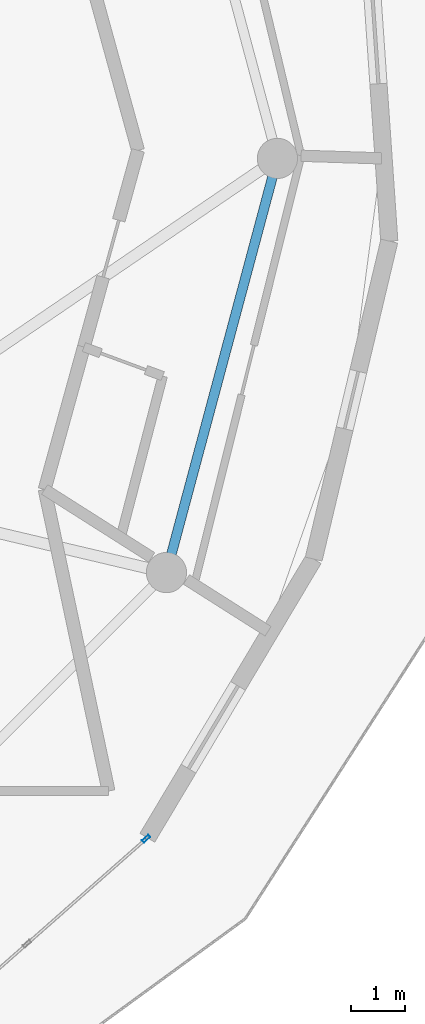
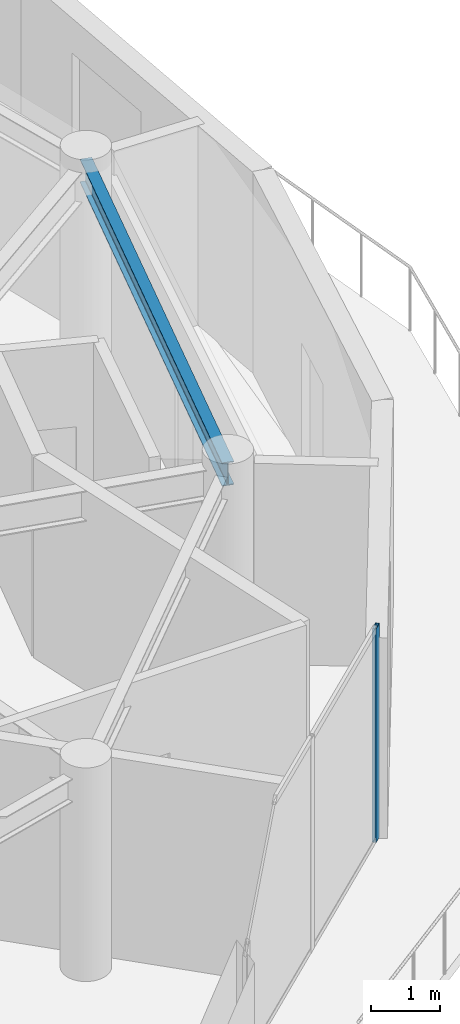
# One storey, part 11 of 22: 1 beam, 1 member, 1 element without a shape of its own.
"""IFC4 building model written with IfcOpenShell, lengths in metres."""

from ifc_helpers import new_model, si_unit, direction, frame, origin, origin_2d, place, context, subcontext, project, spatial, hollow_rectangle, i_section, extrude, source, transform, mapped, material, layer, layer_set, material_profile, profile_set, type_object, element, aggregate, save


model = new_model("IFC4")

# Units and contexts
model_context = context("Model", 3, precision=1e-05, world=origin(), true_north=direction((0.0, 1.0)))
body_context = subcontext(model_context, "Body", "Model", "MODEL_VIEW")
ifc_project = project(units=[si_unit("LENGTHUNIT", "METRE"), si_unit("AREAUNIT", "SQUARE_METRE"), si_unit("VOLUMEUNIT", "CUBIC_METRE"), si_unit("PLANEANGLEUNIT", "RADIAN"), si_unit("MASSUNIT", "GRAM", prefix="KILO")], contexts=[model_context])

# Site, building, storey
site_placement = place(None, origin())
site = spatial("IfcSite", under=ifc_project, at=site_placement, CompositionType="ELEMENT")
building_placement = place(site_placement, origin())
building = spatial("IfcBuilding", under=site, at=building_placement, Name="Solvirekh Grand Hotel", CompositionType="ELEMENT")
storey_placement = place(building_placement, frame((0.0, 0.0, 293.39990234375)))
storey = spatial("IfcBuildingStorey", under=building, at=storey_placement, Name="L76", CompositionType="ELEMENT", Elevation=293.39990234375)

# Beam
ifc_material_1 = material(Name="Steel S355", Category="steel")
ifc_material_profile_1 = material_profile(ifc_material_1, i_section(OverallWidth=0.180908203125, OverallDepth=0.4169921875, WebThickness=0.010009765625, FlangeThickness=0.01611328125, FilletRadius=0.011962890625, at=origin_2d()), Name="W410X85")
ifc_profile_set_1 = profile_set([ifc_material_profile_1], Name="Steel S355")
beam_type = type_object("IfcBeamType", Name="Spandrel_Ring_W410", PredefinedType="SPANDREL", material=ifc_profile_set_1)
beam_placement = place(storey_placement, frame((13.3798828125, -7.72509765625, 3.362060546875), z_axis=(0.258834757072, 0.965921616143, 0.0), x_axis=(-0.965921616143, 0.258834757072, 0.0)))
element("IfcBeam", 1, at=beam_placement, inside=storey, type_object=beam_type, Name="L76 perimeter spandrel beam 12", PredefinedType="SPANDREL", context=body_context, shape_type="SweptSolid", body=[
    extrude(i_section(OverallWidth=0.180908203125, OverallDepth=0.4169921875, WebThickness=0.010009765625, FlangeThickness=0.01611328125, FilletRadius=0.011962890625, at=origin_2d()), origin(), (0.0, 0.0, 1.0), 7.99755859375),
])

# Curtain wall, member
ifc_material_2 = material(Name="Anodized Bronze Aluminium 6063-T6", Category="aluminium")
ifc_layer = layer(ifc_material_2, 0.159912109375)
ifc_layer_set = layer_set([ifc_layer], Name="Anodized Bronze Aluminium 6063-T6")
curtain_wall_type = type_object("IfcCurtainWallType", Name="CW_Sys4_HighZoneFlushBronzeCW", PredefinedType="NOTDEFINED", material=ifc_layer_set)
curtain_wall_placement = place(storey_placement, origin())
curtain_wall = element("IfcCurtainWall", 2, at=curtain_wall_placement, inside=storey, type_object=curtain_wall_type, Name="L76 unitised bronze-glass curtain wall CW-L76-C03", PredefinedType="NOTDEFINED")
ifc_material_profile_2 = material_profile(ifc_material_2, hollow_rectangle(XDim=0.06005859375, YDim=0.159912109375, WallThickness=0.0048828125, at=origin_2d()), Name="ALU RHS 160X60X5")
ifc_profile_set_2 = profile_set([ifc_material_profile_2], Name="Anodized Bronze Aluminium 6063-T6")
member_type = type_object("IfcMemberType", Name="CWMullion_Sys4", PredefinedType="MULLION", material=ifc_profile_set_2)
shared_shape = source(origin(), body_context, "Body", "SweptSolid", [
    extrude(hollow_rectangle(XDim=0.06005859375, YDim=0.159912109375, WallThickness=0.0048828125, at=origin_2d()), origin(), (0.0, 0.0, 1.0), 3.800048828125),
])
member_placement = place(storey_placement, frame((13.00146484375, -12.69091796875, 0.0), z_axis=(0.0, 0.0, 1.0), x_axis=(-0.661350800605, 0.750076741767, 0.0)))
member = element("IfcMember", 3, at=member_placement, type_object=member_type, Name="U04 mullion 3", PredefinedType="MULLION", context=body_context, shape_type="MappedRepresentation", body=[
    mapped(shared_shape, transform((0.0, 0.0, 0.0), x_axis=(1.0, 0.0, 0.0), y_axis=(0.0, 1.0, 0.0), z_axis=(0.0, 0.0, 1.0), scale=1.0)),
])
aggregate(curtain_wall, [member])

save(model, "model.ifc")
